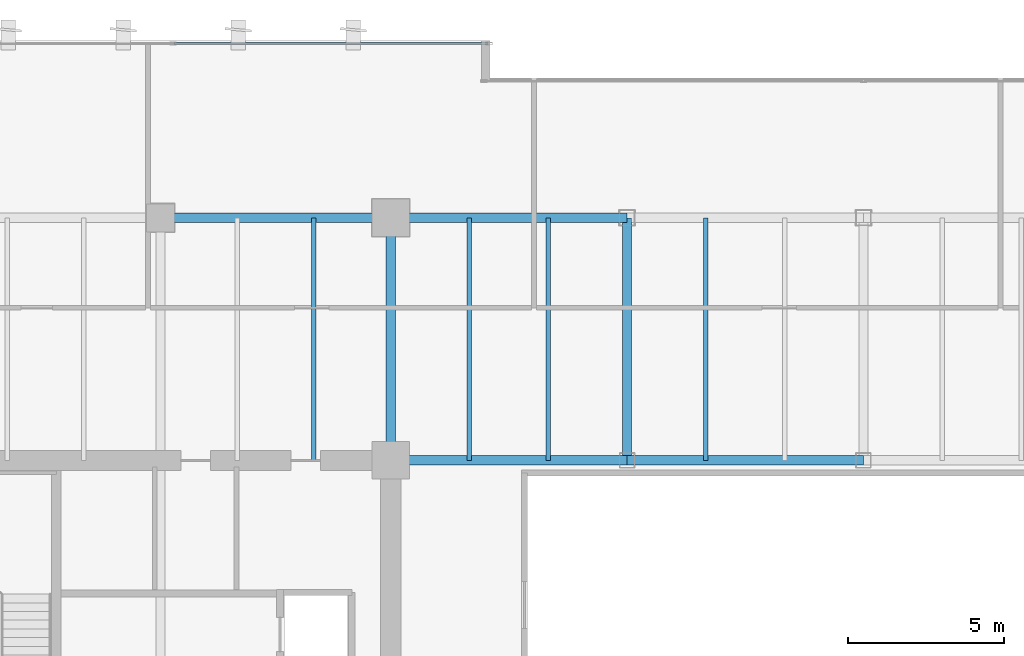
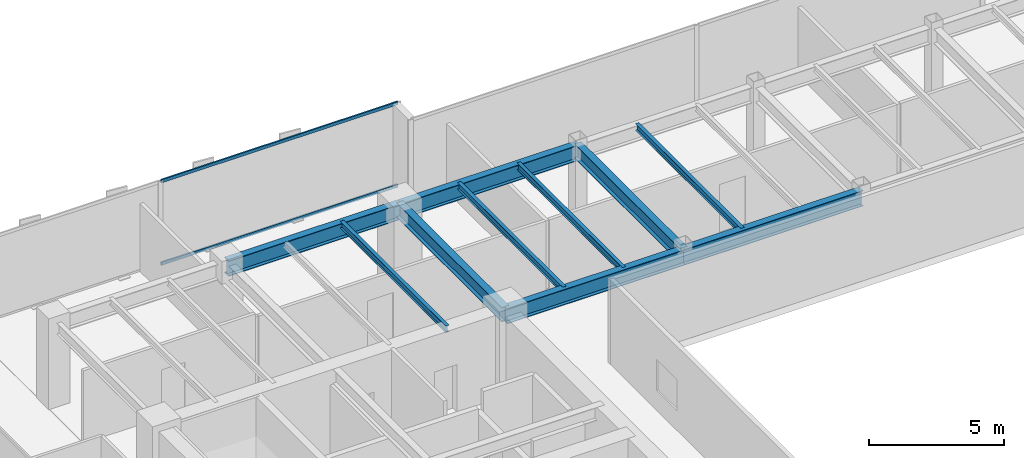
# One storey, part 15 of 34: 10 beams, 2 members, 1 element without a shape of its own.
"""IFC4 building model written with IfcOpenShell, lengths in metres."""

import ifcopenshell
import ifcopenshell.guid

model = None  # the IFC model being written
_history = None  # IfcOwnerHistory: only IFC2X3 demands one
_inside = {}  # id of a spatial element -> (the spatial element, [elements in it])
_under = {}  # id of a project, library or spatial element -> (it, [spatial elements below it])
_declared = {}  # id of a project -> (the project, [libraries it declares])
_typed = {}  # id of a type object -> (the type object, [elements of that type])
_made_of = {}  # id of a material, layer set ... -> (it, [elements and type objects made of it])


def new_model(schema):
    """Start an empty IFC model of exactly this schema.

    Asked for "IFC4X3", IfcOpenShell would pick the latest addendum, in which some entities
    have other attributes; the version numbers below select the first issue.
    IFC2X3 requires an IfcOwnerHistory on every rooted entity: one is made here for all.
    """
    global model, _history
    if schema == "IFC4X3":
        model = ifcopenshell.file(schema_version=(4, 3, 0, 0))
    else:
        model = ifcopenshell.file(schema=schema)
    _inside.clear()
    _under.clear()
    _declared.clear()
    _typed.clear()
    _made_of.clear()
    _history = None
    if model.schema == "IFC2X3":
        org = make("IfcOrganization", Name="unknown")
        user = make(
            "IfcPersonAndOrganization",
            ThePerson=make("IfcPerson", FamilyName="unknown"),
            TheOrganization=org,
        )
        app = make(
            "IfcApplication",
            ApplicationDeveloper=org,
            Version="unknown",
            ApplicationFullName="unknown",
            ApplicationIdentifier="unknown",
        )
        _history = make(
            "IfcOwnerHistory",
            OwningUser=user,
            OwningApplication=app,
            ChangeAction="ADDED",
            CreationDate=0,
        )
    return model


def make(cls, **values):
    """One entity of the class cls with the attributes given. An attribute that is None is left unset."""
    return model.create_entity(
        cls, **{name: value for name, value in values.items() if value is not None}
    )


def rooted(cls, **values):
    """An entity with a GlobalId (a new one), such as an element, a storey or a relation."""
    return make(cls, GlobalId=ifcopenshell.guid.new(), OwnerHistory=_history, **values)


def si_unit(unit_type, name, prefix=None):
    """IfcSIUnit, for example si_unit("LENGTHUNIT", "METRE", prefix="MILLI")."""
    return make("IfcSIUnit", UnitType=unit_type, Prefix=prefix, Name=name)


def assignment(units):
    """IfcUnitAssignment: the units of a project."""
    return None if units is None else make("IfcUnitAssignment", Units=units)


def point(xyz):
    """IfcCartesianPoint."""
    return None if xyz is None else make("IfcCartesianPoint", Coordinates=xyz)


def direction(xyz):
    """IfcDirection."""
    return None if xyz is None else make("IfcDirection", DirectionRatios=xyz)


def frame(location, z_axis=None, x_axis=None):
    """IfcAxis2Placement3D, a coordinate frame: its origin and axes. An axis left out is left unset."""
    return make(
        "IfcAxis2Placement3D",
        Location=point(location),
        Axis=direction(z_axis),
        RefDirection=direction(x_axis),
    )


def frame_2d(location, x_axis=None):
    """IfcAxis2Placement2D, a coordinate frame in the plane: its origin and x axis."""
    return make(
        "IfcAxis2Placement2D", Location=point(location), RefDirection=direction(x_axis)
    )


def origin():
    """The frame at (0, 0, 0) with its axes left unset."""
    return frame((0.0, 0.0, 0.0))


def origin_2d():
    """The frame at (0, 0) in the plane with its x axis left unset."""
    return frame_2d((0.0, 0.0))


def place(relative_to, where):
    """IfcLocalPlacement: puts the frame where relative to a parent placement (None: the world)."""
    return make(
        "IfcLocalPlacement", PlacementRelTo=relative_to, RelativePlacement=where
    )


def context(
    kind, dimensions, precision=None, world=None, true_north=None, identifier=None
):
    """IfcGeometricRepresentationContext, for example the 3D "Model" context."""
    return make(
        "IfcGeometricRepresentationContext",
        ContextIdentifier=identifier,
        ContextType=kind,
        CoordinateSpaceDimension=dimensions,
        Precision=precision,
        WorldCoordinateSystem=world,
        TrueNorth=true_north,
    )


def subcontext(parent, identifier, kind, view, scale=None):
    """IfcGeometricRepresentationSubContext, for example "Body" below "Model"."""
    return make(
        "IfcGeometricRepresentationSubContext",
        ContextIdentifier=identifier,
        ContextType=kind,
        ParentContext=parent,
        TargetScale=scale,
        TargetView=view,
    )


def project(units=None, contexts=None):
    """IfcProject with its units and contexts."""
    return rooted(
        "IfcProject",
        Name="project",
        RepresentationContexts=contexts,
        UnitsInContext=assignment(units),
    )


def spatial(cls, under=None, at=None, **own):
    """A site, building, storey or space (cls), placed at a placement, below another one or the project."""
    s = rooted(cls, ObjectPlacement=at, **own)
    if under is not None:
        _under.setdefault(under.id(), (under, []))[1].append(s)
    return s


def profile(cls, at=None, kind="AREA", **sizes):
    """A parametric profile (cls). Its sizes go by their IFC names, for example OverallWidth=200.0."""
    return make(cls, ProfileType=kind, Position=at, **sizes)


def hollow_rectangle(**sizes):
    """IfcRectangleHollowProfileDef."""
    return profile("IfcRectangleHollowProfileDef", **sizes)


def i_section(**sizes):
    """IfcIShapeProfileDef."""
    return profile("IfcIShapeProfileDef", **sizes)


def extrude(swept, where, along, depth):
    """IfcExtrudedAreaSolid: the profile swept, set in the frame where, extruded along a direction by depth."""
    return make(
        "IfcExtrudedAreaSolid",
        SweptArea=swept,
        Position=where,
        ExtrudedDirection=direction(along),
        Depth=depth,
    )


def shape(context_of_items, identifier, shape_type, items):
    """IfcShapeRepresentation: the items that make up one representation, for example the "Body"."""
    return make(
        "IfcShapeRepresentation",
        ContextOfItems=context_of_items,
        RepresentationIdentifier=identifier,
        RepresentationType=shape_type,
        Items=items,
    )


def source(mapping_origin, context_of_items, identifier, shape_type, items):
    """IfcRepresentationMap: a shape defined once, which mapped items show again and again."""
    return make(
        "IfcRepresentationMap",
        MappingOrigin=mapping_origin,
        MappedRepresentation=shape(context_of_items, identifier, shape_type, items),
    )


def transform(
    local_origin,
    x_axis=None,
    y_axis=None,
    z_axis=None,
    scale=None,
    scale2=None,
    scale3=None,
    uniform=True,
):
    """IfcCartesianTransformationOperator3D, or its non-uniform kind. x_axis, y_axis, z_axis: its Axis1, 2, 3."""
    if uniform:
        return make(
            "IfcCartesianTransformationOperator3D",
            Axis1=direction(x_axis),
            Axis2=direction(y_axis),
            LocalOrigin=point(local_origin),
            Scale=scale,
            Axis3=direction(z_axis),
        )
    return make(
        "IfcCartesianTransformationOperator3DnonUniform",
        Axis1=direction(x_axis),
        Axis2=direction(y_axis),
        LocalOrigin=point(local_origin),
        Scale=scale,
        Axis3=direction(z_axis),
        Scale2=scale2,
        Scale3=scale3,
    )


def mapped(mapping_source, mapping_target):
    """IfcMappedItem: shows the shape of a source again, moved by a transform."""
    return make(
        "IfcMappedItem", MappingSource=mapping_source, MappingTarget=mapping_target
    )


def material(Name=None, Category=None):
    """IfcMaterial."""
    return make("IfcMaterial", Name=Name, Category=Category)


def layer(
    of_material, thickness, ventilated=None, Name=None, Category=None, Priority=None
):
    """IfcMaterialLayer: one layer of a wall or slab, of a material (None: an air gap)."""
    return make(
        "IfcMaterialLayer",
        Material=of_material,
        LayerThickness=thickness,
        IsVentilated=ventilated,
        Name=Name,
        Category=Category,
        Priority=Priority,
    )


def layer_set(layers, Name=None):
    """IfcMaterialLayerSet."""
    return make("IfcMaterialLayerSet", MaterialLayers=layers, LayerSetName=Name)


def material_profile(
    of_material, cross_section, Name=None, Category=None, Priority=None
):
    """IfcMaterialProfile: a cross section and its material."""
    return make(
        "IfcMaterialProfile",
        Name=Name,
        Material=of_material,
        Profile=cross_section,
        Priority=Priority,
        Category=Category,
    )


def profile_set(profiles, Name=None, composite=None):
    """IfcMaterialProfileSet."""
    return make(
        "IfcMaterialProfileSet",
        Name=Name,
        MaterialProfiles=profiles,
        CompositeProfile=composite,
    )


def made_of(thing, what):
    """Note that an element or type object is made of a material, layer set ...; save() writes the relation."""
    if what is not None:
        _made_of.setdefault(what.id(), (what, []))[1].append(thing)
    return thing


def type_object(cls, material=None, **own):
    """A type object (cls), such as IfcWallType, which elements share."""
    return made_of(rooted(cls, **own), material)


def type_shapes(of_type, sources):
    """Give a type object the sources (RepresentationMaps) that its elements show as mapped items."""
    of_type.RepresentationMaps = sources


def element(
    cls,
    number,
    at=None,
    inside=None,
    cuts=None,
    type_object=None,
    material=None,
    context=None,
    identifier="Body",
    shape_type=None,
    held_by="IfcProductDefinitionShape",
    body=None,
    shapes=None,
    **own,
):
    """One element of the class cls, such as IfcWall. Its Tag is "e" and its number.

    at: its placement. inside: the storey or other place that contains it. cuts: it is an
    opening in that element (IfcRelVoidsElement). A single representation is given by context,
    identifier, shape_type and body (its items); several are given by shapes. held_by: the class
    of the entity that holds the representations. save() writes the other relations.
    """
    e = rooted(cls, Tag="e%d" % number, ObjectPlacement=at, **own)
    if body is not None:
        shapes = [shape(context, identifier, shape_type, body)]
    if shapes is not None:
        e.Representation = make(held_by, Representations=shapes)
    if inside is not None:
        _inside.setdefault(inside.id(), (inside, []))[1].append(e)
    if cuts is not None:
        rooted(
            "IfcRelVoidsElement", RelatingBuildingElement=cuts, RelatedOpeningElement=e
        )
    if type_object is not None:
        _typed.setdefault(type_object.id(), (type_object, []))[1].append(e)
    return made_of(e, material)


def aggregate(whole, parts):
    """IfcRelAggregates: a whole, such as a stair, and the parts it consists of."""
    return rooted("IfcRelAggregates", RelatingObject=whole, RelatedObjects=parts)


def save(model, path):
    """Write the relations noted so far, then the file.

    IfcRelAggregates (storeys below a building ...), IfcRelContainedInSpatialStructure (elements
    in a storey), IfcRelDefinesByType, IfcRelAssociatesMaterial and IfcRelDeclares: one each for
    every whole, place, type object, material and project.
    """
    for whole, parts in _under.values():
        aggregate(whole, parts)
    for where, things in _inside.values():
        rooted(
            "IfcRelContainedInSpatialStructure",
            RelatedElements=things,
            RelatingStructure=where,
        )
    for kind, things in _typed.values():
        rooted("IfcRelDefinesByType", RelatedObjects=things, RelatingType=kind)
    for what, things in _made_of.values():
        rooted("IfcRelAssociatesMaterial", RelatedObjects=things, RelatingMaterial=what)
    for by, libraries in _declared.values():
        rooted("IfcRelDeclares", RelatingContext=by, RelatedDefinitions=libraries)
    model.write(path)


model = new_model("IFC4")

# Units and contexts
model_context = context("Model", 3, precision=1e-05, world=origin(), true_north=direction((0.0, 1.0)))
body_context = subcontext(model_context, "Body", "Model", "MODEL_VIEW")
ifc_project = project(units=[si_unit("LENGTHUNIT", "METRE"), si_unit("AREAUNIT", "SQUARE_METRE"), si_unit("VOLUMEUNIT", "CUBIC_METRE"), si_unit("PLANEANGLEUNIT", "RADIAN"), si_unit("MASSUNIT", "GRAM", prefix="KILO")], contexts=[model_context])

# Site, building, storey
site_placement = place(None, origin())
site = spatial("IfcSite", under=ifc_project, at=site_placement, CompositionType="ELEMENT")
building_placement = place(site_placement, origin())
building = spatial("IfcBuilding", under=site, at=building_placement, Name="Haelvirn Gate Laboratories", CompositionType="ELEMENT")
storey_placement = place(building_placement, frame((0.0, 0.0, 109.199951171875)))
storey = spatial("IfcBuildingStorey", under=building, at=storey_placement, Name="L26", CompositionType="ELEMENT", Elevation=109.199951171875)

# Beams
ifc_material_1 = material(Name="Steel SM355", Category="steel")
ifc_material_profile_1 = material_profile(ifc_material_1, i_section(OverallWidth=0.300048828125, OverallDepth=0.64990234375, WebThickness=0.012939453125, FlangeThickness=0.02197265625, at=origin_2d()), Name="H-650x300x13x22")
ifc_profile_set_1 = profile_set([ifc_material_profile_1], Name="Steel SM355")
beam_type_1 = type_object("IfcBeamType", Name="BM-G-650", PredefinedType="BEAM", material=ifc_profile_set_1)
shared_shape_1 = source(origin(), body_context, "Body", "SweptSolid", [
    extrude(i_section(OverallWidth=0.300048828125, OverallDepth=0.64990234375, WebThickness=0.012939453125, FlangeThickness=0.02197265625, at=origin_2d()), origin(), (0.0, 0.0, 1.0), 7.800048828125),
])
type_shapes(beam_type_1, [shared_shape_1])
for number, where, z_axis, x_axis, name in (
    (1, (22.199951171875, 33.800048828125, 3.465087890625), (0.0, 1.0, 0.0), (-1.0, 0.0, 0.0), "L26 Frame Girder X22.2 (33.8-41.6)"),
    (2, (29.800048828125, 33.800048828125, 3.465087890625), (0.0, 1.0, 0.0), (-1.0, 0.0, 0.0), "L26 Frame Girder X29.8 (33.8-41.6)"),
):
    element("IfcBeam", number, at=place(storey_placement, frame(where, z_axis=z_axis, x_axis=x_axis)), inside=storey, type_object=beam_type_1, Name=name, PredefinedType="BEAM", context=body_context, shape_type="MappedRepresentation", body=[
        mapped(shared_shape_1, transform((0.0, 0.0, 0.0), scale=1.0)),
    ])
ifc_material_profile_2 = material_profile(ifc_material_1, i_section(OverallWidth=0.300048828125, OverallDepth=0.699951171875, WebThickness=0.012939453125, FlangeThickness=0.02392578125, at=origin_2d()), Name="H-700x300x13x24")
ifc_profile_set_2 = profile_set([ifc_material_profile_2], Name="Steel SM355")
beam_type_2 = type_object("IfcBeamType", Name="BM-G-700", PredefinedType="BEAM", material=ifc_profile_set_2)
shared_shape_2 = source(origin(), body_context, "Body", "SweptSolid", [
    extrude(i_section(OverallWidth=0.300048828125, OverallDepth=0.699951171875, WebThickness=0.012939453125, FlangeThickness=0.02392578125, at=origin_2d()), origin(), (0.0, 0.0, 1.0), 7.39990234375),
])
beam_1_placement = place(storey_placement, frame((14.800048828125, 41.60009765625, 3.43994140625), z_axis=(1.0, 0.0, 0.0), x_axis=(0.0, 1.0, 0.0)))
element("IfcBeam", 3, at=beam_1_placement, inside=storey, type_object=beam_type_2, Name="L26 Primary Girder Y41.6 (14.8-22.2)", PredefinedType="BEAM", context=body_context, shape_type="MappedRepresentation", body=[
    mapped(shared_shape_2, transform((0.0, 0.0, 0.0), scale=1.0)),
])
shared_shape_3 = source(origin(), body_context, "Body", "SweptSolid", [
    extrude(i_section(OverallWidth=0.300048828125, OverallDepth=0.699951171875, WebThickness=0.012939453125, FlangeThickness=0.02392578125, at=origin_2d()), origin(), (0.0, 0.0, 1.0), 7.60009765625),
])
for number, where, z_axis, x_axis, name in (
    (4, (22.199951171875, 33.800048828125, 3.43994140625), (1.0, 0.0, 0.0), (0.0, 1.0, 0.0), "L26 Primary Girder Y33.8 (22.2-29.8)"),
    (5, (22.199951171875, 41.60009765625, 3.43994140625), (1.0, 0.0, 0.0), (0.0, 1.0, 0.0), "L26 Primary Girder Y41.6 (22.2-29.8)"),
):
    element("IfcBeam", number, at=place(storey_placement, frame(where, z_axis=z_axis, x_axis=x_axis)), inside=storey, type_object=beam_type_2, Name=name, PredefinedType="BEAM", context=body_context, shape_type="MappedRepresentation", body=[
        mapped(shared_shape_3, transform((0.0, 0.0, 0.0), scale=1.0)),
    ])
shared_shape_4 = source(origin(), body_context, "Body", "SweptSolid", [
    extrude(i_section(OverallWidth=0.300048828125, OverallDepth=0.699951171875, WebThickness=0.012939453125, FlangeThickness=0.02392578125, at=origin_2d()), origin(), (0.0, 0.0, 1.0), 7.599853515625),
])
type_shapes(beam_type_2, [shared_shape_2, shared_shape_3, shared_shape_4])
beam_2_placement = place(storey_placement, frame((29.800048828125, 33.800048828125, 3.43994140625), z_axis=(1.0, 0.0, 0.0), x_axis=(0.0, 1.0, 0.0)))
element("IfcBeam", 6, at=beam_2_placement, inside=storey, type_object=beam_type_2, Name="L26 Primary Girder Y33.8 (29.8-37.4)", PredefinedType="BEAM", context=body_context, shape_type="MappedRepresentation", body=[
    mapped(shared_shape_4, transform((0.0, 0.0, 0.0), scale=1.0)),
])
ifc_material_profile_3 = material_profile(ifc_material_1, i_section(OverallWidth=0.14990234375, OverallDepth=0.300048828125, WebThickness=0.006591796875, FlangeThickness=0.009033203125, at=origin_2d()), Name="H-300x150x6.5x9")
ifc_profile_set_3 = profile_set([ifc_material_profile_3], Name="Steel SM355")
beam_type_3 = type_object("IfcBeamType", Name="BM-J-300", PredefinedType="JOIST", material=ifc_profile_set_3)
shared_shape_5 = source(origin(), body_context, "Body", "SweptSolid", [
    extrude(i_section(OverallWidth=0.14990234375, OverallDepth=0.300048828125, WebThickness=0.006591796875, FlangeThickness=0.009033203125, at=origin_2d()), origin(), (0.0, 0.0, 1.0), 7.800048828125),
])
type_shapes(beam_type_3, [shared_shape_5])
for number, where, z_axis, x_axis, name in (
    (7, (19.72998046875, 33.800048828125, 3.64013671875), (0.0, 1.0, 0.0), (-1.0, 0.0, 0.0), "L26 Composite Lab Joist North X19.73"),
    (8, (24.72998046875, 33.800048828125, 3.64013671875), (0.0, 1.0, 0.0), (-1.0, 0.0, 0.0), "L26 Composite Lab Joist North X24.73"),
    (9, (27.27001953125, 33.800048828125, 3.64013671875), (0.0, 1.0, 0.0), (-1.0, 0.0, 0.0), "L26 Composite Lab Joist North X27.27"),
    (10, (32.330078125, 33.800048828125, 3.64013671875), (0.0, 1.0, 0.0), (-1.0, 0.0, 0.0), "L26 Composite Lab Joist North X32.33"),
):
    element("IfcBeam", number, at=place(storey_placement, frame(where, z_axis=z_axis, x_axis=x_axis)), inside=storey, type_object=beam_type_3, Name=name, PredefinedType="JOIST", context=body_context, shape_type="MappedRepresentation", body=[
        mapped(shared_shape_5, transform((0.0, 0.0, 0.0), scale=1.0)),
    ])

# Curtain wall, members
ifc_material_2 = material(Name="Anodised bronze unitised aluminium & triple low-E glass", Category="aluminium")
ifc_layer = layer(ifc_material_2, 0.179931640625, Name="CW-SYS-3")
ifc_layer_set = layer_set([ifc_layer], Name="Anodised bronze unitised aluminium & triple low-E glass")
curtain_wall_type = type_object("IfcCurtainWallType", Name="CW-SYS-3", PredefinedType="NOTDEFINED", material=ifc_layer_set)
curtain_wall_placement = place(storey_placement, origin())
curtain_wall = element("IfcCurtainWall", 11, at=curtain_wall_placement, inside=storey, type_object=curtain_wall_type, Name="L26 Unitised Curtain Wall CW-L26-P0-E14-1", PredefinedType="NOTDEFINED")
ifc_material_3 = material(Name="Extruded aluminium 6063-T6 (anodised bronze)", Category="aluminium")
ifc_material_profile_4 = material_profile(ifc_material_3, hollow_rectangle(XDim=0.06494140625, YDim=0.139892578125, WallThickness=0.00390625, at=origin_2d()), Name="CWT-140x65x4")
ifc_profile_set_4 = profile_set([ifc_material_profile_4], Name="Extruded aluminium 6063-T6 (anodised bronze)")
member_type = type_object("IfcMemberType", Name="CWT-T140", PredefinedType="USERDEFINED", material=ifc_profile_set_4)
shared_shape_6 = source(origin(), body_context, "Body", "SweptSolid", [
    extrude(hollow_rectangle(XDim=0.06494140625, YDim=0.139892578125, WallThickness=0.00390625, at=origin_2d()), origin(), (0.0, 0.0, 1.0), 10.08740234375),
])
type_shapes(member_type, [shared_shape_6])
member_1_placement = place(storey_placement, frame((15.237548828125, 47.199951171875, 0.032470703125), z_axis=(1.0, 0.0, 0.0), x_axis=(0.0, 1.0, 0.0)))
member_1 = element("IfcMember", 12, at=member_1_placement, type_object=member_type, Name="CW3 transom 2.1", ObjectType="TRANSOM", PredefinedType="USERDEFINED", context=body_context, shape_type="MappedRepresentation", body=[
    mapped(shared_shape_6, transform((0.0, 0.0, 0.0), scale=1.0)),
])
member_2_placement = place(storey_placement, frame((15.237548828125, 47.199951171875, 3.757568359375), z_axis=(1.0, 0.0, 0.0), x_axis=(0.0, 1.0, 0.0)))
member_2 = element("IfcMember", 13, at=member_2_placement, type_object=member_type, Name="CW3 transom 2.2", ObjectType="TRANSOM", PredefinedType="USERDEFINED", context=body_context, shape_type="MappedRepresentation", body=[
    mapped(shared_shape_6, transform((0.0, 0.0, 0.0), scale=1.0)),
])
aggregate(curtain_wall, [member_1, member_2])

save(model, "model.ifc")
